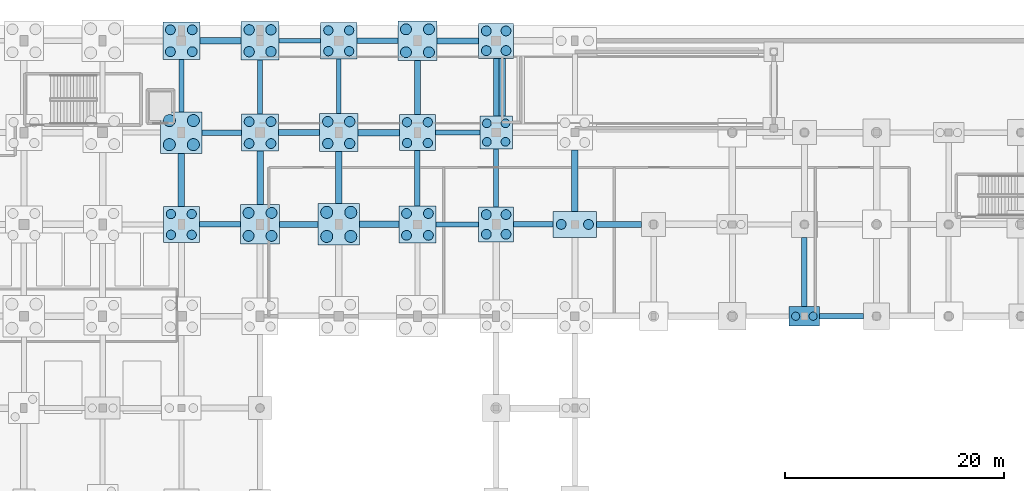
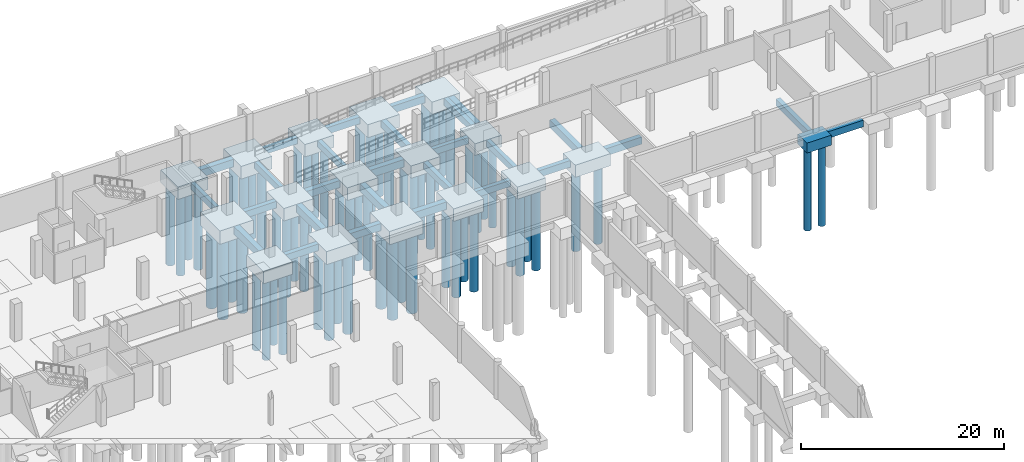
# One storey, part 11 of 35: 64 piles, 45 footings.
"""IFC4 building model written with IfcOpenShell, lengths in metres."""

from ifc_helpers import new_model, si_unit, direction, frame, origin, origin_2d, place, context, subcontext, project, spatial, rectangle, circle, extrude, material, material_profile, profile_set, type_object, element, save


model = new_model("IFC4")

# Units and contexts
model_context = context("Model", 3, precision=1e-05, world=origin(), true_north=direction((0.0, 1.0)))
body_context = subcontext(model_context, "Body", "Model", "MODEL_VIEW")
ifc_project = project(units=[si_unit("LENGTHUNIT", "METRE"), si_unit("AREAUNIT", "SQUARE_METRE"), si_unit("VOLUMEUNIT", "CUBIC_METRE"), si_unit("PLANEANGLEUNIT", "RADIAN"), si_unit("MASSUNIT", "GRAM", prefix="KILO")], contexts=[model_context])

# Site, building, storey
site_placement = place(None, origin())
site = spatial("IfcSite", under=ifc_project, at=site_placement, CompositionType="ELEMENT")
building_placement = place(site_placement, origin())
building = spatial("IfcBuilding", under=site, at=building_placement, Name="Kalluvel Institute of Natural Sciences", CompositionType="ELEMENT")
storey_placement = place(building_placement, frame((0.0, 0.0, -4.5)))
storey = spatial("IfcBuildingStorey", under=building, at=storey_placement, Name="B1", CompositionType="ELEMENT", Elevation=-4.5)

# Footings
ifc_material = material(Name="Concrete M40", Category="concrete")
footing_type_1 = type_object("IfcFootingType", Name="FB-450x750", PredefinedType="FOOTING_BEAM", material=ifc_material)
footing_1_placement = place(storey_placement, frame((104.050048828125, 111.199951171875, -1.199951171875), z_axis=(0.0, 0.0, 1.0), x_axis=(1.0, 0.0, 0.0)))
element("IfcFooting", 1, at=footing_1_placement, inside=storey, type_object=footing_type_1, Name="Foundation tie beam GB-X-148", PredefinedType="FOOTING_BEAM", context=body_context, shape_type="SweptSolid", body=[
    extrude(rectangle(XDim=3.89990234375, YDim=0.449951171875, at=origin_2d()), origin(), (0.0, 0.0, 1.0), 0.75),
])
footing_2_placement = place(storey_placement, frame((104.074951171875, 119.60009765625, -1.199951171875), z_axis=(0.0, 0.0, 1.0), x_axis=(1.0, 0.0, 0.0)))
element("IfcFooting", 2, at=footing_2_placement, inside=storey, type_object=footing_type_1, Name="Foundation tie beam GB-X-172", PredefinedType="FOOTING_BEAM", context=body_context, shape_type="SweptSolid", body=[
    extrude(rectangle(XDim=4.050048828125, YDim=0.449951171875, at=origin_2d()), origin(), (0.0, 0.0, 1.0), 0.75),
])
footing_3_placement = place(storey_placement, frame((89.64990234375, 128.0, -1.199951171875), z_axis=(0.0, 0.0, 1.0), x_axis=(1.0, 0.0, 0.0)))
element("IfcFooting", 3, at=footing_3_placement, inside=storey, type_object=footing_type_1, Name="Foundation tie beam GB-X-192", PredefinedType="FOOTING_BEAM", context=body_context, shape_type="SweptSolid", body=[
    extrude(rectangle(XDim=3.800048828125, YDim=0.449951171875, at=origin_2d()), origin(), (0.0, 0.0, 1.0), 0.75),
])
footing_4_placement = place(storey_placement, frame((78.800048828125, 123.89990234375, -1.199951171875), z_axis=(0.0, 0.0, 1.0), x_axis=(1.0, 0.0, 0.0)))
element("IfcFooting", 4, at=footing_4_placement, inside=storey, type_object=footing_type_1, Name="Foundation tie beam GB-Y-308", PredefinedType="FOOTING_BEAM", context=body_context, shape_type="SweptSolid", body=[
    extrude(rectangle(XDim=0.449951171875, YDim=4.800048828125, at=origin_2d()), origin(), (0.0, 0.0, 1.0), 0.75),
])
footing_5_placement = place(storey_placement, frame((86.0, 123.77490234375, -1.199951171875), z_axis=(0.0, 0.0, 1.0), x_axis=(1.0, 0.0, 0.0)))
element("IfcFooting", 5, at=footing_5_placement, inside=storey, type_object=footing_type_1, Name="Foundation tie beam GB-Y-316", PredefinedType="FOOTING_BEAM", context=body_context, shape_type="SweptSolid", body=[
    extrude(rectangle(XDim=0.449951171875, YDim=4.949951171875, at=origin_2d()), origin(), (0.0, 0.0, 1.0), 0.75),
])
footing_6_placement = place(storey_placement, frame((93.199951171875, 123.85009765625, -1.199951171875), z_axis=(0.0, 0.0, 1.0), x_axis=(1.0, 0.0, 0.0)))
element("IfcFooting", 6, at=footing_6_placement, inside=storey, type_object=footing_type_1, Name="Foundation tie beam GB-Y-320", PredefinedType="FOOTING_BEAM", context=body_context, shape_type="SweptSolid", body=[
    extrude(rectangle(XDim=0.449951171875, YDim=5.0, at=origin_2d()), origin(), (0.0, 0.0, 1.0), 0.75),
])
footing_7_placement = place(storey_placement, frame((107.60009765625, 115.449951171875, -1.199951171875), z_axis=(0.0, 0.0, 1.0), x_axis=(1.0, 0.0, 0.0)))
element("IfcFooting", 7, at=footing_7_placement, inside=storey, type_object=footing_type_1, Name="Foundation tie beam GB-Y-340", PredefinedType="FOOTING_BEAM", context=body_context, shape_type="SweptSolid", body=[
    extrude(rectangle(XDim=0.449951171875, YDim=5.300048828125, at=origin_2d()), origin(), (0.0, 0.0, 1.0), 0.75),
])
footing_type_2 = type_object("IfcFootingType", Name="FB-500x800", PredefinedType="FOOTING_BEAM", material=ifc_material)
footing_8_placement = place(storey_placement, frame((139.199951171875, 102.800048828125, -1.25), z_axis=(0.0, 0.0, 1.0), x_axis=(1.0, 0.0, 0.0)))
element("IfcFooting", 8, at=footing_8_placement, inside=storey, type_object=footing_type_2, Name="Foundation tie beam GB-X-129", PredefinedType="FOOTING_BEAM", context=body_context, shape_type="SweptSolid", body=[
    extrude(rectangle(XDim=4.0, YDim=0.5, at=origin_2d()), origin(), (0.0, 0.0, 1.0), 0.800048828125),
])
footing_9_placement = place(storey_placement, frame((82.324951171875, 111.199951171875, -1.25), z_axis=(0.0, 0.0, 1.0), x_axis=(1.0, 0.0, 0.0)))
element("IfcFooting", 9, at=footing_9_placement, inside=storey, type_object=footing_type_2, Name="Foundation tie beam GB-X-145", PredefinedType="FOOTING_BEAM", context=body_context, shape_type="SweptSolid", body=[
    extrude(rectangle(XDim=3.75, YDim=0.5, at=origin_2d()), origin(), (0.0, 0.0, 1.0), 0.800048828125),
])
for number, where, z_axis, x_axis, name in (
    (10, (111.0, 111.199951171875, -1.25), (0.0, 0.0, 1.0), (1.0, 0.0, 0.0), "Foundation tie beam GB-X-149"),
    (11, (82.5, 119.60009765625, -1.25), (0.0, 0.0, 1.0), (1.0, 0.0, 0.0), "Foundation tie beam GB-X-169"),
):
    element("IfcFooting", number, at=place(storey_placement, frame(where, z_axis=z_axis, x_axis=x_axis)), inside=storey, type_object=footing_type_2, Name=name, PredefinedType="FOOTING_BEAM", context=body_context, shape_type="SweptSolid", body=[
        extrude(rectangle(XDim=3.60009765625, YDim=0.5, at=origin_2d()), origin(), (0.0, 0.0, 1.0), 0.800048828125),
    ])
footing_10_placement = place(storey_placement, frame((96.72509765625, 128.0, -1.25), z_axis=(0.0, 0.0, 1.0), x_axis=(1.0, 0.0, 0.0)))
element("IfcFooting", 12, at=footing_10_placement, inside=storey, type_object=footing_type_2, Name="Foundation tie beam GB-X-193", PredefinedType="FOOTING_BEAM", context=body_context, shape_type="SweptSolid", body=[
    extrude(rectangle(XDim=3.75, YDim=0.5, at=origin_2d()), origin(), (0.0, 0.0, 1.0), 0.800048828125),
])
footing_11_placement = place(storey_placement, frame((100.39990234375, 115.425048828125, -1.25), z_axis=(0.0, 0.0, 1.0), x_axis=(1.0, 0.0, 0.0)))
element("IfcFooting", 13, at=footing_11_placement, inside=storey, type_object=footing_type_2, Name="Foundation tie beam GB-Y-325", PredefinedType="FOOTING_BEAM", context=body_context, shape_type="SweptSolid", body=[
    extrude(rectangle(XDim=0.5, YDim=5.050048828125, at=origin_2d()), origin(), (0.0, 0.0, 1.0), 0.800048828125),
])
footing_12_placement = place(storey_placement, frame((107.60009765625, 123.75, -1.25), z_axis=(0.0, 0.0, 1.0), x_axis=(1.0, 0.0, 0.0)))
element("IfcFooting", 14, at=footing_12_placement, inside=storey, type_object=footing_type_2, Name="Foundation tie beam GB-Y-341", PredefinedType="FOOTING_BEAM", context=body_context, shape_type="SweptSolid", body=[
    extrude(rectangle(XDim=0.5, YDim=5.300048828125, at=origin_2d()), origin(), (0.0, 0.0, 1.0), 0.800048828125),
])
footing_13_placement = place(storey_placement, frame((135.800048828125, 106.85009765625, -1.25), z_axis=(0.0, 0.0, 1.0), x_axis=(1.0, 0.0, 0.0)))
element("IfcFooting", 15, at=footing_13_placement, inside=storey, type_object=footing_type_2, Name="Foundation tie beam GB-Y-361", PredefinedType="FOOTING_BEAM", context=body_context, shape_type="SweptSolid", body=[
    extrude(rectangle(XDim=0.5, YDim=6.300048828125, at=origin_2d()), origin(), (0.0, 0.0, 1.0), 0.800048828125),
])
footing_type_3 = type_object("IfcFootingType", Name="FB-550x850", PredefinedType="FOOTING_BEAM", material=ifc_material)
footing_14_placement = place(storey_placement, frame((89.550048828125, 111.199951171875, -1.300048828125), z_axis=(0.0, 0.0, 1.0), x_axis=(1.0, 0.0, 0.0)))
element("IfcFooting", 16, at=footing_14_placement, inside=storey, type_object=footing_type_3, Name="Foundation tie beam GB-X-146", PredefinedType="FOOTING_BEAM", context=body_context, shape_type="SweptSolid", body=[
    extrude(rectangle(XDim=3.5, YDim=0.550048828125, at=origin_2d()), origin(), (0.0, 0.0, 1.0), 0.85009765625),
])
footing_15_placement = place(storey_placement, frame((118.85009765625, 111.199951171875, -1.300048828125), z_axis=(0.0, 0.0, 1.0), x_axis=(1.0, 0.0, 0.0)))
element("IfcFooting", 17, at=footing_15_placement, inside=storey, type_object=footing_type_3, Name="Foundation tie beam GB-X-150", PredefinedType="FOOTING_BEAM", context=body_context, shape_type="SweptSolid", body=[
    extrude(rectangle(XDim=4.10009765625, YDim=0.550048828125, at=origin_2d()), origin(), (0.0, 0.0, 1.0), 0.85009765625),
])
footing_16_placement = place(storey_placement, frame((89.574951171875, 119.60009765625, -1.300048828125), z_axis=(0.0, 0.0, 1.0), x_axis=(1.0, 0.0, 0.0)))
element("IfcFooting", 18, at=footing_16_placement, inside=storey, type_object=footing_type_3, Name="Foundation tie beam GB-X-170", PredefinedType="FOOTING_BEAM", context=body_context, shape_type="SweptSolid", body=[
    extrude(rectangle(XDim=3.75, YDim=0.550048828125, at=origin_2d()), origin(), (0.0, 0.0, 1.0), 0.85009765625),
])
footing_17_placement = place(storey_placement, frame((104.10009765625, 128.0, -1.300048828125), z_axis=(0.0, 0.0, 1.0), x_axis=(1.0, 0.0, 0.0)))
element("IfcFooting", 19, at=footing_17_placement, inside=storey, type_object=footing_type_3, Name="Foundation tie beam GB-X-194", PredefinedType="FOOTING_BEAM", context=body_context, shape_type="SweptSolid", body=[
    extrude(rectangle(XDim=3.800048828125, YDim=0.550048828125, at=origin_2d()), origin(), (0.0, 0.0, 1.0), 0.85009765625),
])
footing_18_placement = place(storey_placement, frame((100.39990234375, 123.72509765625, -1.300048828125), z_axis=(0.0, 0.0, 1.0), x_axis=(1.0, 0.0, 0.0)))
element("IfcFooting", 20, at=footing_18_placement, inside=storey, type_object=footing_type_3, Name="Foundation tie beam GB-Y-326", PredefinedType="FOOTING_BEAM", context=body_context, shape_type="SweptSolid", body=[
    extrude(rectangle(XDim=0.550048828125, YDim=4.949951171875, at=origin_2d()), origin(), (0.0, 0.0, 1.0), 0.85009765625),
])
footing_type_4 = type_object("IfcFootingType", Name="FB-600x900", PredefinedType="FOOTING_BEAM", material=ifc_material)
footing_19_placement = place(storey_placement, frame((96.89990234375, 111.199951171875, -1.349853515625), z_axis=(0.0, 0.0, 1.0), x_axis=(1.0, 0.0, 0.0)))
element("IfcFooting", 21, at=footing_19_placement, inside=storey, type_object=footing_type_4, Name="Foundation tie beam GB-X-147", PredefinedType="FOOTING_BEAM", context=body_context, shape_type="SweptSolid", body=[
    extrude(rectangle(XDim=3.60009765625, YDim=0.60009765625, at=origin_2d()), origin(), (0.0, 0.0, 1.0), 0.89990234375),
])
footing_20_placement = place(storey_placement, frame((96.85009765625, 119.60009765625, -1.349853515625), z_axis=(0.0, 0.0, 1.0), x_axis=(1.0, 0.0, 0.0)))
element("IfcFooting", 22, at=footing_20_placement, inside=storey, type_object=footing_type_4, Name="Foundation tie beam GB-X-171", PredefinedType="FOOTING_BEAM", context=body_context, shape_type="SweptSolid", body=[
    extrude(rectangle(XDim=3.800048828125, YDim=0.60009765625, at=origin_2d()), origin(), (0.0, 0.0, 1.0), 0.89990234375),
])
footing_21_placement = place(storey_placement, frame((82.375, 128.0, -1.349853515625), z_axis=(0.0, 0.0, 1.0), x_axis=(1.0, 0.0, 0.0)))
element("IfcFooting", 23, at=footing_21_placement, inside=storey, type_object=footing_type_4, Name="Foundation tie beam GB-X-191", PredefinedType="FOOTING_BEAM", context=body_context, shape_type="SweptSolid", body=[
    extrude(rectangle(XDim=3.75, YDim=0.60009765625, at=origin_2d()), origin(), (0.0, 0.0, 1.0), 0.89990234375),
])
footing_22_placement = place(storey_placement, frame((78.800048828125, 115.27490234375, -1.349853515625), z_axis=(0.0, 0.0, 1.0), x_axis=(1.0, 0.0, 0.0)))
element("IfcFooting", 24, at=footing_22_placement, inside=storey, type_object=footing_type_4, Name="Foundation tie beam GB-Y-307", PredefinedType="FOOTING_BEAM", context=body_context, shape_type="SweptSolid", body=[
    extrude(rectangle(XDim=0.60009765625, YDim=4.85009765625, at=origin_2d()), origin(), (0.0, 0.0, 1.0), 0.89990234375),
])
footing_23_placement = place(storey_placement, frame((86.0, 115.449951171875, -1.349853515625), z_axis=(0.0, 0.0, 1.0), x_axis=(1.0, 0.0, 0.0)))
element("IfcFooting", 25, at=footing_23_placement, inside=storey, type_object=footing_type_4, Name="Foundation tie beam GB-Y-315", PredefinedType="FOOTING_BEAM", context=body_context, shape_type="SweptSolid", body=[
    extrude(rectangle(XDim=0.60009765625, YDim=4.89990234375, at=origin_2d()), origin(), (0.0, 0.0, 1.0), 0.89990234375),
])
footing_24_placement = place(storey_placement, frame((93.199951171875, 115.47509765625, -1.349853515625), z_axis=(0.0, 0.0, 1.0), x_axis=(1.0, 0.0, 0.0)))
element("IfcFooting", 26, at=footing_24_placement, inside=storey, type_object=footing_type_4, Name="Foundation tie beam GB-Y-319", PredefinedType="FOOTING_BEAM", context=body_context, shape_type="SweptSolid", body=[
    extrude(rectangle(XDim=0.60009765625, YDim=4.75, at=origin_2d()), origin(), (0.0, 0.0, 1.0), 0.89990234375),
])
footing_25_placement = place(storey_placement, frame((114.800048828125, 115.199951171875, -1.349853515625), z_axis=(0.0, 0.0, 1.0), x_axis=(1.0, 0.0, 0.0)))
element("IfcFooting", 27, at=footing_25_placement, inside=storey, type_object=footing_type_4, Name="Foundation tie beam GB-Y-355", PredefinedType="FOOTING_BEAM", context=body_context, shape_type="SweptSolid", body=[
    extrude(rectangle(XDim=0.60009765625, YDim=5.60009765625, at=origin_2d()), origin(), (0.0, 0.0, 1.0), 0.89990234375),
])
footing_type_5 = type_object("IfcFootingType", Name="FT-STRIP-650x600", PredefinedType="STRIP_FOOTING", material=ifc_material)
footing_26_placement = place(storey_placement, frame((108.14990234375, 123.75, -1.050048828125), z_axis=(0.0, 0.0, 1.0), x_axis=(1.0, 0.0, 0.0)))
element("IfcFooting", 28, at=footing_26_placement, inside=storey, type_object=footing_type_5, Name="Vehicle ramp mid-landing west strip footing SF-004", PredefinedType="STRIP_FOOTING", context=body_context, shape_type="SweptSolid", body=[
    extrude(rectangle(XDim=0.64990234375, YDim=5.280029296875, at=origin_2d()), origin(), (0.0, 0.0, 1.0), 0.60009765625),
])
footing_type_6 = type_object("IfcFootingType", Name="PC-2800x1800x1200", PredefinedType="PILE_CAP", material=ifc_material)
footing_27_placement = place(storey_placement, frame((135.800048828125, 102.800048828125, -1.64990234375), z_axis=(0.0, 0.0, 1.0), x_axis=(1.0, 0.0, 0.0)))
element("IfcFooting", 29, at=footing_27_placement, inside=storey, type_object=footing_type_6, Name="Pile cap CAP-199", PredefinedType="PILE_CAP", context=body_context, shape_type="SweptSolid", body=[
    extrude(rectangle(XDim=2.800048828125, YDim=1.800048828125, at=origin_2d()), origin(), (0.0, 0.0, 1.0), 1.199951171875),
])
footing_type_7 = type_object("IfcFootingType", Name="PC-3000x3000x1400", PredefinedType="PILE_CAP", material=ifc_material)
footing_28_placement = place(storey_placement, frame((107.60009765625, 119.60009765625, -1.849853515625), z_axis=(0.0, 0.0, 1.0), x_axis=(1.0, 0.0, 0.0)))
element("IfcFooting", 30, at=footing_28_placement, inside=storey, type_object=footing_type_7, Name="Pile cap CAP-168", PredefinedType="PILE_CAP", context=body_context, shape_type="SweptSolid", body=[
    extrude(rectangle(XDim=3.0, YDim=3.0, at=origin_2d()), origin(), (0.0, 0.0, 1.0), 1.39990234375),
])
footing_type_8 = type_object("IfcFootingType", Name="PC-3200x3200x1450", PredefinedType="PILE_CAP", material=ifc_material)
for number, where, z_axis, x_axis, name in (
    (31, (107.60009765625, 111.199951171875, -1.89990234375), (0.0, 0.0, 1.0), (1.0, 0.0, 0.0), "Pile cap CAP-167"),
    (32, (107.60009765625, 128.0, -1.89990234375), (0.0, 0.0, 1.0), (1.0, 0.0, 0.0), "Pile cap CAP-169"),
):
    element("IfcFooting", number, at=place(storey_placement, frame(where, z_axis=z_axis, x_axis=x_axis)), inside=storey, type_object=footing_type_8, Name=name, PredefinedType="PILE_CAP", context=body_context, shape_type="SweptSolid", body=[
        extrude(rectangle(XDim=3.199951171875, YDim=3.199951171875, at=origin_2d()), origin(), (0.0, 0.0, 1.0), 1.449951171875),
    ])
footing_type_9 = type_object("IfcFootingType", Name="PC-3300x3300x1480", PredefinedType="PILE_CAP", material=ifc_material)
for number, where, z_axis, x_axis, name in (
    (33, (78.800048828125, 111.199951171875, -1.929931640625), (0.0, 0.0, 1.0), (1.0, 0.0, 0.0), "Pile cap CAP-127"),
    (34, (93.199951171875, 128.0, -1.929931640625), (0.0, 0.0, 1.0), (1.0, 0.0, 0.0), "Pile cap CAP-145"),
    (35, (100.39990234375, 119.60009765625, -1.929931640625), (0.0, 0.0, 1.0), (1.0, 0.0, 0.0), "Pile cap CAP-152"),
):
    element("IfcFooting", number, at=place(storey_placement, frame(where, z_axis=z_axis, x_axis=x_axis)), inside=storey, type_object=footing_type_9, Name=name, PredefinedType="PILE_CAP", context=body_context, shape_type="SweptSolid", body=[
        extrude(rectangle(XDim=3.300048828125, YDim=3.300048828125, at=origin_2d()), origin(), (0.0, 0.0, 1.0), 1.47998046875),
    ])
footing_type_10 = type_object("IfcFootingType", Name="PC-3400x3400x1500", PredefinedType="PILE_CAP", material=ifc_material)
for number, where, z_axis, x_axis, name in (
    (36, (78.800048828125, 128.0, -1.949951171875), (0.0, 0.0, 1.0), (1.0, 0.0, 0.0), "Pile cap CAP-129"),
    (37, (86.0, 119.60009765625, -1.949951171875), (0.0, 0.0, 1.0), (1.0, 0.0, 0.0), "Pile cap CAP-138"),
    (38, (100.39990234375, 111.199951171875, -1.949951171875), (0.0, 0.0, 1.0), (1.0, 0.0, 0.0), "Pile cap CAP-151"),
):
    element("IfcFooting", number, at=place(storey_placement, frame(where, z_axis=z_axis, x_axis=x_axis)), inside=storey, type_object=footing_type_10, Name=name, PredefinedType="PILE_CAP", context=body_context, shape_type="SweptSolid", body=[
        extrude(rectangle(XDim=3.39990234375, YDim=3.39990234375, at=origin_2d()), origin(), (0.0, 0.0, 1.0), 1.5),
    ])
footing_type_11 = type_object("IfcFootingType", Name="PC-3500x3500x1520", PredefinedType="PILE_CAP", material=ifc_material)
for number, where, z_axis, x_axis, name in (
    (39, (86.0, 128.0, -1.969970703125), (0.0, 0.0, 1.0), (1.0, 0.0, 0.0), "Pile cap CAP-139"),
    (40, (93.199951171875, 119.60009765625, -1.969970703125), (0.0, 0.0, 1.0), (1.0, 0.0, 0.0), "Pile cap CAP-144"),
):
    element("IfcFooting", number, at=place(storey_placement, frame(where, z_axis=z_axis, x_axis=x_axis)), inside=storey, type_object=footing_type_11, Name=name, PredefinedType="PILE_CAP", context=body_context, shape_type="SweptSolid", body=[
        extrude(rectangle(XDim=3.5, YDim=3.5, at=origin_2d()), origin(), (0.0, 0.0, 1.0), 1.52001953125),
    ])
footing_type_12 = type_object("IfcFootingType", Name="PC-3600x3600x1550", PredefinedType="PILE_CAP", material=ifc_material)
for number, where, z_axis, x_axis, name in (
    (41, (86.0, 111.199951171875, -2.0), (0.0, 0.0, 1.0), (1.0, 0.0, 0.0), "Pile cap CAP-137"),
    (42, (100.39990234375, 128.0, -2.0), (0.0, 0.0, 1.0), (1.0, 0.0, 0.0), "Pile cap CAP-153"),
):
    element("IfcFooting", number, at=place(storey_placement, frame(where, z_axis=z_axis, x_axis=x_axis)), inside=storey, type_object=footing_type_12, Name=name, PredefinedType="PILE_CAP", context=body_context, shape_type="SweptSolid", body=[
        extrude(rectangle(XDim=3.60009765625, YDim=3.60009765625, at=origin_2d()), origin(), (0.0, 0.0, 1.0), 1.550048828125),
    ])
footing_type_13 = type_object("IfcFootingType", Name="PC-3800x3800x1600", PredefinedType="PILE_CAP", material=ifc_material)
for number, where, z_axis, x_axis, name in (
    (43, (78.800048828125, 119.60009765625, -2.050048828125), (0.0, 0.0, 1.0), (1.0, 0.0, 0.0), "Pile cap CAP-128"),
    (44, (93.199951171875, 111.199951171875, -2.050048828125), (0.0, 0.0, 1.0), (1.0, 0.0, 0.0), "Pile cap CAP-143"),
):
    element("IfcFooting", number, at=place(storey_placement, frame(where, z_axis=z_axis, x_axis=x_axis)), inside=storey, type_object=footing_type_13, Name=name, PredefinedType="PILE_CAP", context=body_context, shape_type="SweptSolid", body=[
        extrude(rectangle(XDim=3.800048828125, YDim=3.800048828125, at=origin_2d()), origin(), (0.0, 0.0, 1.0), 1.60009765625),
    ])
footing_type_14 = type_object("IfcFootingType", Name="PC-4000x2400x1450", PredefinedType="PILE_CAP", material=ifc_material)
footing_29_placement = place(storey_placement, frame((114.800048828125, 111.199951171875, -1.89990234375), z_axis=(0.0, 0.0, 1.0), x_axis=(1.0, 0.0, 0.0)))
element("IfcFooting", 45, at=footing_29_placement, inside=storey, type_object=footing_type_14, Name="Pile cap CAP-183", PredefinedType="PILE_CAP", context=body_context, shape_type="SweptSolid", body=[
    extrude(rectangle(XDim=4.0, YDim=2.39990234375, at=origin_2d()), origin(), (0.0, 0.0, 1.0), 1.449951171875),
])

# Piles
ifc_material_profile_1 = material_profile(ifc_material, circle(Radius=0.5, at=origin_2d()), Name="PILE D1000")
ifc_profile_set_1 = profile_set([ifc_material_profile_1], Name="Concrete M40")
pile_type_1 = type_object("IfcPileType", Name="PILE-D1000", PredefinedType="BORED", material=ifc_profile_set_1)
for number, where, z_axis, x_axis, name in (
    (46, (84.949951171875, 110.14990234375, -1.8798828125), (0.0, 0.0, -1.0), (1.0, 0.0, 0.0), "Bored rock-socketed pile PILE-X8495-Y11015"),
    (47, (87.050048828125, 110.14990234375, -1.8798828125), (0.0, 0.0, -1.0), (1.0, 0.0, 0.0), "Bored rock-socketed pile PILE-X8705-Y11015"),
    (48, (84.949951171875, 112.25, -1.8798828125), (0.0, 0.0, -1.0), (1.0, 0.0, 0.0), "Bored rock-socketed pile PILE-X8495-Y11225"),
    (49, (87.050048828125, 112.25, -1.8798828125), (0.0, 0.0, -1.0), (1.0, 0.0, 0.0), "Bored rock-socketed pile PILE-X8705-Y11225"),
    (50, (99.35009765625, 126.949951171875, -1.8798828125), (0.0, 0.0, -1.0), (1.0, 0.0, 0.0), "Bored rock-socketed pile PILE-X9935-Y12695"),
    (51, (101.449951171875, 126.949951171875, -1.8798828125), (0.0, 0.0, -1.0), (1.0, 0.0, 0.0), "Bored rock-socketed pile PILE-X10145-Y12695"),
    (52, (99.35009765625, 129.050048828125, -1.8798828125), (0.0, 0.0, -1.0), (1.0, 0.0, 0.0), "Bored rock-socketed pile PILE-X9935-Y12905"),
    (53, (101.449951171875, 129.050048828125, -1.8798828125), (0.0, 0.0, -1.0), (1.0, 0.0, 0.0), "Bored rock-socketed pile PILE-X10145-Y12905"),
):
    element("IfcPile", number, at=place(storey_placement, frame(where, z_axis=z_axis, x_axis=x_axis)), inside=storey, type_object=pile_type_1, Name=name, PredefinedType="BORED", context=body_context, shape_type="SweptSolid", body=[
        extrude(circle(Radius=0.5, at=origin_2d()), origin(), (0.0, 0.0, 1.0), 9.6201171875),
    ])
ifc_material_profile_2 = material_profile(ifc_material, circle(Radius=0.550048828125, at=origin_2d()), Name="PILE D1100")
ifc_profile_set_2 = profile_set([ifc_material_profile_2], Name="Concrete M40")
pile_type_2 = type_object("IfcPileType", Name="PILE-D1100", PredefinedType="BORED", material=ifc_profile_set_2)
for number, where, z_axis, x_axis, name in (
    (54, (77.699951171875, 118.5, -1.929931640625), (0.0, 0.0, -1.0), (1.0, 0.0, 0.0), "Bored rock-socketed pile PILE-X7770-Y11850"),
    (55, (79.89990234375, 118.5, -1.929931640625), (0.0, 0.0, -1.0), (1.0, 0.0, 0.0), "Bored rock-socketed pile PILE-X7990-Y11850"),
    (56, (77.699951171875, 120.699951171875, -1.929931640625), (0.0, 0.0, -1.0), (1.0, 0.0, 0.0), "Bored rock-socketed pile PILE-X7770-Y12070"),
    (57, (79.89990234375, 120.699951171875, -1.929931640625), (0.0, 0.0, -1.0), (1.0, 0.0, 0.0), "Bored rock-socketed pile PILE-X7990-Y12070"),
    (58, (92.10009765625, 110.10009765625, -1.929931640625), (0.0, 0.0, -1.0), (1.0, 0.0, 0.0), "Bored rock-socketed pile PILE-X9210-Y11010"),
    (59, (94.300048828125, 110.10009765625, -1.929931640625), (0.0, 0.0, -1.0), (1.0, 0.0, 0.0), "Bored rock-socketed pile PILE-X9430-Y11010"),
    (60, (92.10009765625, 112.300048828125, -1.929931640625), (0.0, 0.0, -1.0), (1.0, 0.0, 0.0), "Bored rock-socketed pile PILE-X9210-Y11230"),
    (61, (94.300048828125, 112.300048828125, -1.929931640625), (0.0, 0.0, -1.0), (1.0, 0.0, 0.0), "Bored rock-socketed pile PILE-X9430-Y11230"),
):
    element("IfcPile", number, at=place(storey_placement, frame(where, z_axis=z_axis, x_axis=x_axis)), inside=storey, type_object=pile_type_2, Name=name, PredefinedType="BORED", context=body_context, shape_type="SweptSolid", body=[
        extrude(circle(Radius=0.550048828125, at=origin_2d()), origin(), (0.0, 0.0, 1.0), 9.570068359375),
    ])
ifc_material_profile_3 = material_profile(ifc_material, circle(Radius=0.375, at=origin_2d()), Name="PILE D750")
ifc_profile_set_3 = profile_set([ifc_material_profile_3], Name="Concrete M40")
pile_type_3 = type_object("IfcPileType", Name="PILE-D750", PredefinedType="BORED", material=ifc_profile_set_3)
for number, where, z_axis, x_axis, name in (
    (62, (135.0, 102.800048828125, -1.530029296875), (0.0, 0.0, -1.0), (1.0, 0.0, 0.0), "Bored rock-socketed pile PILE-X13500-Y10280"),
    (63, (136.60009765625, 102.800048828125, -1.530029296875), (0.0, 0.0, -1.0), (1.0, 0.0, 0.0), "Bored rock-socketed pile PILE-X13660-Y10280"),
):
    element("IfcPile", number, at=place(storey_placement, frame(where, z_axis=z_axis, x_axis=x_axis)), inside=storey, type_object=pile_type_3, Name=name, PredefinedType="BORED", context=body_context, shape_type="SweptSolid", body=[
        extrude(circle(Radius=0.375, at=origin_2d()), origin(), (0.0, 0.0, 1.0), 9.969970703125),
    ])
ifc_material_profile_4 = material_profile(ifc_material, circle(Radius=0.39990234375, at=origin_2d()), Name="PILE D800")
ifc_profile_set_4 = profile_set([ifc_material_profile_4], Name="Concrete M40")
pile_type_4 = type_object("IfcPileType", Name="PILE-D800", PredefinedType="BORED", material=ifc_profile_set_4)
for number, where, z_axis, x_axis, name in (
    (64, (106.75, 118.75, -1.72998046875), (0.0, 0.0, -1.0), (1.0, 0.0, 0.0), "Bored rock-socketed pile PILE-X10675-Y11875"),
    (65, (108.449951171875, 118.75, -1.72998046875), (0.0, 0.0, -1.0), (1.0, 0.0, 0.0), "Bored rock-socketed pile PILE-X10845-Y11875"),
    (66, (106.75, 120.449951171875, -1.72998046875), (0.0, 0.0, -1.0), (1.0, 0.0, 0.0), "Bored rock-socketed pile PILE-X10675-Y12045"),
    (67, (108.449951171875, 120.449951171875, -1.72998046875), (0.0, 0.0, -1.0), (1.0, 0.0, 0.0), "Bored rock-socketed pile PILE-X10845-Y12045"),
):
    element("IfcPile", number, at=place(storey_placement, frame(where, z_axis=z_axis, x_axis=x_axis)), inside=storey, type_object=pile_type_4, Name=name, PredefinedType="BORED", context=body_context, shape_type="SweptSolid", body=[
        extrude(circle(Radius=0.39990234375, at=origin_2d()), origin(), (0.0, 0.0, 1.0), 9.77001953125),
    ])
ifc_material_profile_5 = material_profile(ifc_material, circle(Radius=0.425048828125, at=origin_2d()), Name="PILE D850")
ifc_profile_set_5 = profile_set([ifc_material_profile_5], Name="Concrete M40")
pile_type_5 = type_object("IfcPileType", Name="PILE-D850", PredefinedType="BORED", material=ifc_profile_set_5)
for number, where, z_axis, x_axis, name in (
    (68, (77.85009765625, 110.25, -1.81005859375), (0.0, 0.0, -1.0), (1.0, 0.0, 0.0), "Bored rock-socketed pile PILE-X7785-Y11025"),
    (69, (79.75, 110.25, -1.81005859375), (0.0, 0.0, -1.0), (1.0, 0.0, 0.0), "Bored rock-socketed pile PILE-X7975-Y11025"),
    (70, (77.85009765625, 112.14990234375, -1.81005859375), (0.0, 0.0, -1.0), (1.0, 0.0, 0.0), "Bored rock-socketed pile PILE-X7785-Y11215"),
    (71, (79.75, 112.14990234375, -1.81005859375), (0.0, 0.0, -1.0), (1.0, 0.0, 0.0), "Bored rock-socketed pile PILE-X7975-Y11215"),
    (72, (92.25, 127.050048828125, -1.81005859375), (0.0, 0.0, -1.0), (1.0, 0.0, 0.0), "Bored rock-socketed pile PILE-X9225-Y12705"),
    (73, (94.14990234375, 127.050048828125, -1.81005859375), (0.0, 0.0, -1.0), (1.0, 0.0, 0.0), "Bored rock-socketed pile PILE-X9415-Y12705"),
    (74, (92.25, 128.949951171875, -1.81005859375), (0.0, 0.0, -1.0), (1.0, 0.0, 0.0), "Bored rock-socketed pile PILE-X9225-Y12895"),
    (75, (94.14990234375, 128.949951171875, -1.81005859375), (0.0, 0.0, -1.0), (1.0, 0.0, 0.0), "Bored rock-socketed pile PILE-X9415-Y12895"),
    (76, (99.449951171875, 118.64990234375, -1.81005859375), (0.0, 0.0, -1.0), (1.0, 0.0, 0.0), "Bored rock-socketed pile PILE-X9945-Y11865"),
    (77, (101.35009765625, 118.64990234375, -1.81005859375), (0.0, 0.0, -1.0), (1.0, 0.0, 0.0), "Bored rock-socketed pile PILE-X10135-Y11865"),
    (78, (99.449951171875, 120.550048828125, -1.81005859375), (0.0, 0.0, -1.0), (1.0, 0.0, 0.0), "Bored rock-socketed pile PILE-X9945-Y12055"),
    (79, (101.35009765625, 120.550048828125, -1.81005859375), (0.0, 0.0, -1.0), (1.0, 0.0, 0.0), "Bored rock-socketed pile PILE-X10135-Y12055"),
):
    element("IfcPile", number, at=place(storey_placement, frame(where, z_axis=z_axis, x_axis=x_axis)), inside=storey, type_object=pile_type_5, Name=name, PredefinedType="BORED", context=body_context, shape_type="SweptSolid", body=[
        extrude(circle(Radius=0.425048828125, at=origin_2d()), origin(), (0.0, 0.0, 1.0), 9.68994140625),
    ])
ifc_material_profile_6 = material_profile(ifc_material, circle(Radius=0.449951171875, at=origin_2d()), Name="PILE D900")
ifc_profile_set_6 = profile_set([ifc_material_profile_6], Name="Concrete M40")
pile_type_6 = type_object("IfcPileType", Name="PILE-D900", PredefinedType="BORED", material=ifc_profile_set_6)
for number, where, z_axis, x_axis, name in (
    (80, (77.800048828125, 127.0, -1.830078125), (0.0, 0.0, -1.0), (1.0, 0.0, 0.0), "Bored rock-socketed pile PILE-X7780-Y12700"),
    (81, (79.800048828125, 127.0, -1.830078125), (0.0, 0.0, -1.0), (1.0, 0.0, 0.0), "Bored rock-socketed pile PILE-X7980-Y12700"),
    (82, (77.800048828125, 129.0, -1.830078125), (0.0, 0.0, -1.0), (1.0, 0.0, 0.0), "Bored rock-socketed pile PILE-X7780-Y12900"),
    (83, (79.800048828125, 129.0, -1.830078125), (0.0, 0.0, -1.0), (1.0, 0.0, 0.0), "Bored rock-socketed pile PILE-X7980-Y12900"),
    (84, (85.0, 118.60009765625, -1.830078125), (0.0, 0.0, -1.0), (1.0, 0.0, 0.0), "Bored rock-socketed pile PILE-X8500-Y11860"),
    (85, (87.0, 118.60009765625, -1.830078125), (0.0, 0.0, -1.0), (1.0, 0.0, 0.0), "Bored rock-socketed pile PILE-X8700-Y11860"),
    (86, (85.0, 120.60009765625, -1.830078125), (0.0, 0.0, -1.0), (1.0, 0.0, 0.0), "Bored rock-socketed pile PILE-X8500-Y12060"),
    (87, (87.0, 120.60009765625, -1.830078125), (0.0, 0.0, -1.0), (1.0, 0.0, 0.0), "Bored rock-socketed pile PILE-X8700-Y12060"),
    (88, (99.39990234375, 110.199951171875, -1.830078125), (0.0, 0.0, -1.0), (1.0, 0.0, 0.0), "Bored rock-socketed pile PILE-X9940-Y11020"),
    (89, (101.39990234375, 110.199951171875, -1.830078125), (0.0, 0.0, -1.0), (1.0, 0.0, 0.0), "Bored rock-socketed pile PILE-X10140-Y11020"),
    (90, (99.39990234375, 112.199951171875, -1.830078125), (0.0, 0.0, -1.0), (1.0, 0.0, 0.0), "Bored rock-socketed pile PILE-X9940-Y11220"),
    (91, (101.39990234375, 112.199951171875, -1.830078125), (0.0, 0.0, -1.0), (1.0, 0.0, 0.0), "Bored rock-socketed pile PILE-X10140-Y11220"),
):
    element("IfcPile", number, at=place(storey_placement, frame(where, z_axis=z_axis, x_axis=x_axis)), inside=storey, type_object=pile_type_6, Name=name, PredefinedType="BORED", context=body_context, shape_type="SweptSolid", body=[
        extrude(circle(Radius=0.449951171875, at=origin_2d()), origin(), (0.0, 0.0, 1.0), 9.669921875),
    ])
for number, where, z_axis, x_axis, name in (
    (92, (106.699951171875, 110.300048828125, -1.780029296875), (0.0, 0.0, -1.0), (1.0, 0.0, 0.0), "Bored rock-socketed pile PILE-X10670-Y11030"),
    (93, (108.5, 110.300048828125, -1.780029296875), (0.0, 0.0, -1.0), (1.0, 0.0, 0.0), "Bored rock-socketed pile PILE-X10850-Y11030"),
    (94, (106.699951171875, 112.10009765625, -1.780029296875), (0.0, 0.0, -1.0), (1.0, 0.0, 0.0), "Bored rock-socketed pile PILE-X10670-Y11210"),
    (95, (108.5, 112.10009765625, -1.780029296875), (0.0, 0.0, -1.0), (1.0, 0.0, 0.0), "Bored rock-socketed pile PILE-X10850-Y11210"),
    (96, (106.699951171875, 127.10009765625, -1.780029296875), (0.0, 0.0, -1.0), (1.0, 0.0, 0.0), "Bored rock-socketed pile PILE-X10670-Y12710"),
    (97, (108.5, 127.10009765625, -1.780029296875), (0.0, 0.0, -1.0), (1.0, 0.0, 0.0), "Bored rock-socketed pile PILE-X10850-Y12710"),
    (98, (106.699951171875, 128.89990234375, -1.780029296875), (0.0, 0.0, -1.0), (1.0, 0.0, 0.0), "Bored rock-socketed pile PILE-X10670-Y12890"),
    (99, (108.5, 128.89990234375, -1.780029296875), (0.0, 0.0, -1.0), (1.0, 0.0, 0.0), "Bored rock-socketed pile PILE-X10850-Y12890"),
    (100, (113.550048828125, 111.199951171875, -1.780029296875), (0.0, 0.0, -1.0), (1.0, 0.0, 0.0), "Bored rock-socketed pile PILE-X11355-Y11120"),
    (101, (116.050048828125, 111.199951171875, -1.780029296875), (0.0, 0.0, -1.0), (1.0, 0.0, 0.0), "Bored rock-socketed pile PILE-X11605-Y11120"),
):
    element("IfcPile", number, at=place(storey_placement, frame(where, z_axis=z_axis, x_axis=x_axis)), inside=storey, type_object=pile_type_6, Name=name, PredefinedType="BORED", context=body_context, shape_type="SweptSolid", body=[
        extrude(circle(Radius=0.449951171875, at=origin_2d()), origin(), (0.0, 0.0, 1.0), 9.719970703125),
    ])
ifc_material_profile_7 = material_profile(ifc_material, circle(Radius=0.47509765625, at=origin_2d()), Name="PILE D950")
ifc_profile_set_7 = profile_set([ifc_material_profile_7], Name="Concrete M40")
pile_type_7 = type_object("IfcPileType", Name="PILE-D950", PredefinedType="BORED", material=ifc_profile_set_7)
for number, where, z_axis, x_axis, name in (
    (102, (85.0, 127.0, -1.85009765625), (0.0, 0.0, -1.0), (1.0, 0.0, 0.0), "Bored rock-socketed pile PILE-X8500-Y12700"),
    (103, (87.0, 127.0, -1.85009765625), (0.0, 0.0, -1.0), (1.0, 0.0, 0.0), "Bored rock-socketed pile PILE-X8700-Y12700"),
    (104, (85.0, 129.0, -1.85009765625), (0.0, 0.0, -1.0), (1.0, 0.0, 0.0), "Bored rock-socketed pile PILE-X8500-Y12900"),
    (105, (87.0, 129.0, -1.85009765625), (0.0, 0.0, -1.0), (1.0, 0.0, 0.0), "Bored rock-socketed pile PILE-X8700-Y12900"),
    (106, (92.199951171875, 118.60009765625, -1.85009765625), (0.0, 0.0, -1.0), (1.0, 0.0, 0.0), "Bored rock-socketed pile PILE-X9220-Y11860"),
    (107, (94.199951171875, 118.60009765625, -1.85009765625), (0.0, 0.0, -1.0), (1.0, 0.0, 0.0), "Bored rock-socketed pile PILE-X9420-Y11860"),
    (108, (92.199951171875, 120.60009765625, -1.85009765625), (0.0, 0.0, -1.0), (1.0, 0.0, 0.0), "Bored rock-socketed pile PILE-X9220-Y12060"),
    (109, (94.199951171875, 120.60009765625, -1.85009765625), (0.0, 0.0, -1.0), (1.0, 0.0, 0.0), "Bored rock-socketed pile PILE-X9420-Y12060"),
):
    element("IfcPile", number, at=place(storey_placement, frame(where, z_axis=z_axis, x_axis=x_axis)), inside=storey, type_object=pile_type_7, Name=name, PredefinedType="BORED", context=body_context, shape_type="SweptSolid", body=[
        extrude(circle(Radius=0.47509765625, at=origin_2d()), origin(), (0.0, 0.0, 1.0), 9.64990234375),
    ])

save(model, "model.ifc")
